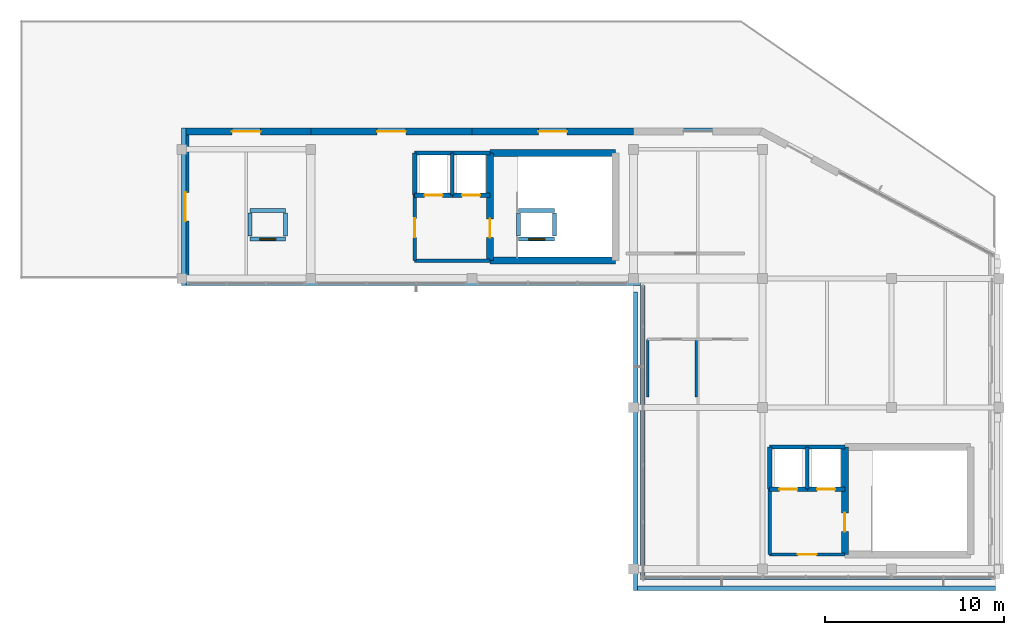
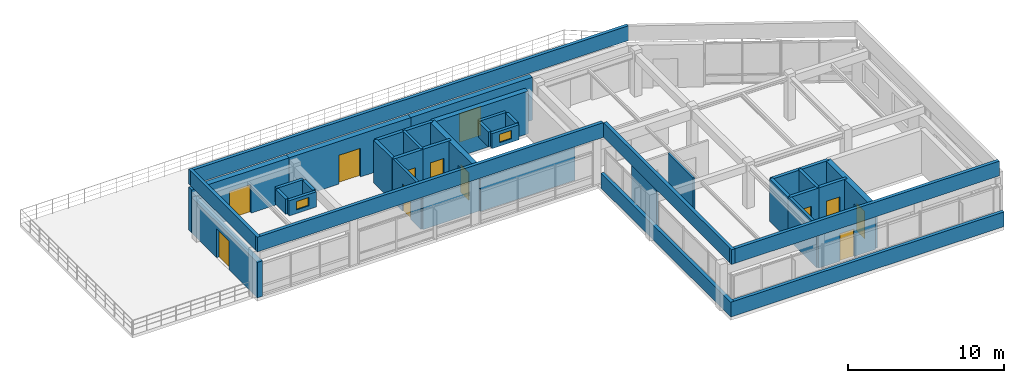
# One storey, part 7 of 10: 39 walls, 12 doors, 2 windows, 14 openings.
"""IFC4 building model written with IfcOpenShell, lengths in metres."""

from ifc_helpers import new_model, si_unit, direction, frame, frame_2d, origin, place, context, subcontext, project, spatial, rectangle, extrude, material, layer, layer_set, type_object, element, fill, save


model = new_model("IFC4")

# Units and contexts
model_context = context("Model", 3, precision=1e-05, world=origin(), true_north=direction((0.0, 1.0)))
body_context = subcontext(model_context, "Body", "Model", "MODEL_VIEW")
ifc_project = project(units=[si_unit("LENGTHUNIT", "METRE"), si_unit("AREAUNIT", "SQUARE_METRE"), si_unit("VOLUMEUNIT", "CUBIC_METRE"), si_unit("PLANEANGLEUNIT", "RADIAN"), si_unit("MASSUNIT", "GRAM", prefix="KILO")], contexts=[model_context])

# Site, building, storey
site_placement = place(None, origin())
site = spatial("IfcSite", under=ifc_project, at=site_placement, CompositionType="ELEMENT")
building_placement = place(site_placement, origin())
building = spatial("IfcBuilding", under=site, at=building_placement, Name="Clarverna Civic Hall", CompositionType="ELEMENT")
storey_placement = place(building_placement, frame((0.0, 0.0, 27.60009765625)))
storey = spatial("IfcBuildingStorey", under=building, at=storey_placement, Name="L07", CompositionType="ELEMENT", Elevation=27.60009765625)

# Wall, opening, door
ifc_material_1 = material(Name="Montjuic Limestone Ashlar Cladding", Category="masonry")
ifc_layer_1 = layer(ifc_material_1, 0.39990234375)
ifc_layer_set_1 = layer_set([ifc_layer_1], Name="Montjuic Limestone Ashlar Cladding")
wall_type_1 = type_object("IfcWallType", Name="EW-02", PredefinedType="SOLIDWALL", material=ifc_layer_set_1)
wall_1_placement = place(storey_placement, frame((122.60009765625, 94.60009765625, 0.0), z_axis=(0.0, 0.0, 1.0), x_axis=(0.0, 1.0, 0.0)))
wall_1 = element("IfcWall", 1, at=wall_1_placement, inside=storey, type_object=wall_type_1, Name="EW-02-282", PredefinedType="SOLIDWALL", context=body_context, shape_type="SweptSolid", body=[
    extrude(rectangle(XDim=8.7998046875, YDim=0.39990234375, at=frame_2d((4.39990234375, 0.0))), origin(), (0.0, 0.0, 1.0), 2.77978515625),
])
opening_1_placement = place(wall_1_placement, frame((3.60009765625, 0.0, 0.0)))
opening_1 = element("IfcOpeningElement", 2, at=opening_1_placement, cuts=wall_1, Name="Opening ED-04", PredefinedType="OPENING", context=body_context, shape_type="SweptSolid", body=[
    extrude(rectangle(XDim=1.60009765625, YDim=2.25, at=frame_2d((0.800048828125, 1.125))), frame((0.0, 0.2099609375, 0.0), z_axis=(0.0, -1.0, 0.0), x_axis=(1.0, 0.0, 0.0)), (0.0, 0.0, 1.0), 0.419921875),
])
ifc_material_2 = material(Name="Anodised Bronze Glazed Door")
door_type_1 = type_object("IfcDoorType", Name="ED-04", OperationType="DOUBLE_DOOR_SINGLE_SWING", PredefinedType="DOOR", material=ifc_material_2)
door_1_placement = place(opening_1_placement, origin())
door_1 = element("IfcDoor", 3, at=door_1_placement, inside=storey, type_object=door_type_1, Name="ED-04-046", OperationType="DOUBLE_DOOR_SINGLE_SWING", OverallHeight=2.25, OverallWidth=1.60009765625, PredefinedType="DOOR", context=body_context, shape_type="SweptSolid", body=[
    extrude(rectangle(XDim=1.60009765625, YDim=2.25, at=frame_2d((0.800048828125, 1.125))), frame((0.0, 0.02490234375, 0.0), z_axis=(0.0, -1.0, 0.0), x_axis=(1.0, 0.0, 0.0)), (0.0, 0.0, 1.0), 0.050048828125),
])
fill(opening_1, door_1)

wall_2_placement = place(storey_placement, frame((122.39990234375, 103.199951171875, 0.0), z_axis=(0.0, 0.0, 1.0), x_axis=(1.0, 0.0, 0.0)))
wall_2 = element("IfcWall", 4, at=wall_2_placement, inside=storey, type_object=wall_type_1, Name="EW-02-283", PredefinedType="SOLIDWALL", context=body_context, shape_type="SweptSolid", body=[
    extrude(rectangle(XDim=7.2001953125, YDim=0.39990234375, at=frame_2d((3.60009765625, 0.0))), origin(), (0.0, 0.0, 1.0), 3.33984375),
])
opening_2_placement = place(wall_2_placement, frame((2.800048828125, 0.0, 0.0)))
opening_2 = element("IfcOpeningElement", 5, at=opening_2_placement, cuts=wall_2, Name="Opening ED-04", PredefinedType="OPENING", context=body_context, shape_type="SweptSolid", body=[
    extrude(rectangle(XDim=1.60009765625, YDim=2.25, at=frame_2d((0.800048828125, 1.125))), frame((0.0, 0.2099609375, 0.0), z_axis=(0.0, -1.0, 0.0), x_axis=(1.0, 0.0, 0.0)), (0.0, 0.0, 1.0), 0.419921875),
])
door_2_placement = place(opening_2_placement, origin())
door_2 = element("IfcDoor", 6, at=door_2_placement, inside=storey, type_object=door_type_1, Name="ED-04-047", OperationType="DOUBLE_DOOR_SINGLE_SWING", OverallHeight=2.25, OverallWidth=1.60009765625, PredefinedType="DOOR", context=body_context, shape_type="SweptSolid", body=[
    extrude(rectangle(XDim=1.60009765625, YDim=2.25, at=frame_2d((0.800048828125, 1.125))), frame((0.0, 0.02490234375, 0.0), z_axis=(0.0, -1.0, 0.0), x_axis=(1.0, 0.0, 0.0)), (0.0, 0.0, 1.0), 0.050048828125),
])
fill(opening_2, door_2)

wall_3_placement = place(storey_placement, frame((129.60009765625, 103.199951171875, 0.0), z_axis=(0.0, 0.0, 1.0), x_axis=(1.0, 0.0, 0.0)))
wall_3 = element("IfcWall", 7, at=wall_3_placement, inside=storey, type_object=wall_type_1, Name="EW-02-284", PredefinedType="SOLIDWALL", context=body_context, shape_type="SweptSolid", body=[
    extrude(rectangle(XDim=9.0, YDim=0.39990234375, at=frame_2d((4.5, 0.0))), origin(), (0.0, 0.0, 1.0), 3.33984375),
])
opening_3_placement = place(wall_3_placement, frame((3.699951171875, 0.0, 0.0)))
opening_3 = element("IfcOpeningElement", 8, at=opening_3_placement, cuts=wall_3, Name="Opening ED-04", PredefinedType="OPENING", context=body_context, shape_type="SweptSolid", body=[
    extrude(rectangle(XDim=1.60009765625, YDim=2.25, at=frame_2d((0.800048828125, 1.125))), frame((0.0, 0.2099609375, 0.0), z_axis=(0.0, -1.0, 0.0), x_axis=(1.0, 0.0, 0.0)), (0.0, 0.0, 1.0), 0.419921875),
])
door_3_placement = place(opening_3_placement, origin())
door_3 = element("IfcDoor", 9, at=door_3_placement, inside=storey, type_object=door_type_1, Name="ED-04-048", OperationType="DOUBLE_DOOR_SINGLE_SWING", OverallHeight=2.25, OverallWidth=1.60009765625, PredefinedType="DOOR", context=body_context, shape_type="SweptSolid", body=[
    extrude(rectangle(XDim=1.60009765625, YDim=2.25, at=frame_2d((0.800048828125, 1.125))), frame((0.0, 0.02490234375, 0.0), z_axis=(0.0, -1.0, 0.0), x_axis=(1.0, 0.0, 0.0)), (0.0, 0.0, 1.0), 0.050048828125),
])
fill(opening_3, door_3)

wall_4_placement = place(storey_placement, frame((138.60009765625, 103.199951171875, 0.0), z_axis=(0.0, 0.0, 1.0), x_axis=(1.0, 0.0, 0.0)))
wall_4 = element("IfcWall", 10, at=wall_4_placement, inside=storey, type_object=wall_type_1, Name="EW-02-285", PredefinedType="SOLIDWALL", context=body_context, shape_type="SweptSolid", body=[
    extrude(rectangle(XDim=9.0, YDim=0.39990234375, at=frame_2d((4.5, 0.0))), origin(), (0.0, 0.0, 1.0), 3.33984375),
])
opening_4_placement = place(wall_4_placement, frame((3.699951171875, 0.0, 0.0)))
opening_4 = element("IfcOpeningElement", 11, at=opening_4_placement, cuts=wall_4, Name="Opening ED-04", PredefinedType="OPENING", context=body_context, shape_type="SweptSolid", body=[
    extrude(rectangle(XDim=1.60009765625, YDim=2.25, at=frame_2d((0.800048828125, 1.125))), frame((0.0, 0.2099609375, 0.0), z_axis=(0.0, -1.0, 0.0), x_axis=(1.0, 0.0, 0.0)), (0.0, 0.0, 1.0), 0.419921875),
])
door_4_placement = place(opening_4_placement, origin())
door_4 = element("IfcDoor", 12, at=door_4_placement, inside=storey, type_object=door_type_1, Name="ED-04-049", OperationType="DOUBLE_DOOR_SINGLE_SWING", OverallHeight=2.25, OverallWidth=1.60009765625, PredefinedType="DOOR", context=body_context, shape_type="SweptSolid", body=[
    extrude(rectangle(XDim=1.60009765625, YDim=2.25, at=frame_2d((0.800048828125, 1.125))), frame((0.0, 0.02490234375, 0.0), z_axis=(0.0, -1.0, 0.0), x_axis=(1.0, 0.0, 0.0)), (0.0, 0.0, 1.0), 0.050048828125),
])
fill(opening_4, door_4)

# Wall, opening, window
ifc_material_3 = material(Name="Precast concrete C40/50", Category="concrete")
ifc_layer_2 = layer(ifc_material_3, 0.320068359375)
ifc_layer_set_2 = layer_set([ifc_layer_2], Name="Precast concrete C40/50")
wall_type_2 = type_object("IfcWallType", Name="EW-04", PredefinedType="SOLIDWALL", material=ifc_layer_set_2)
wall_5_placement = place(storey_placement, frame((126.199951171875, 97.199951171875, 3.579833984375), z_axis=(0.0, 0.0, 1.0), x_axis=(1.0, 0.0, 0.0)))
wall_5 = element("IfcWall", 13, at=wall_5_placement, inside=storey, type_object=wall_type_2, Name="EW-04-051", PredefinedType="SOLIDWALL", context=body_context, shape_type="SweptSolid", body=[
    extrude(rectangle(XDim=2.0, YDim=0.219970703125, at=frame_2d((1.0, 0.0))), origin(), (0.0, 0.0, 1.0), 1.18017578125),
])
opening_5_placement = place(wall_5_placement, frame((0.550048828125, 0.0, 0.280029296875)))
opening_5 = element("IfcOpeningElement", 14, at=opening_5_placement, cuts=wall_5, Name="Opening SK-04", PredefinedType="OPENING", context=body_context, shape_type="SweptSolid", body=[
    extrude(rectangle(XDim=0.89990234375, YDim=0.64990234375, at=frame_2d((0.449951171875, 0.324951171875))), frame((0.0, 0.119873046875, 0.0), z_axis=(0.0, -1.0, 0.0), x_axis=(1.0, 0.0, 0.0)), (0.0, 0.0, 1.0), 0.239990234375),
])
ifc_material_4 = material(Name="Solar-Control Argon Low-E Double Glazing", Category="glass")
window_type = type_object("IfcWindowType", Name="SK-04", PartitioningType="SINGLE_PANEL", PredefinedType="SKYLIGHT", material=ifc_material_4)
window_1_placement = place(opening_5_placement, origin())
window_1 = element("IfcWindow", 15, at=window_1_placement, inside=storey, type_object=window_type, Name="SK-04-001", OverallHeight=0.64990234375, OverallWidth=0.89990234375, PartitioningType="SINGLE_PANEL", PredefinedType="SKYLIGHT", context=body_context, shape_type="SweptSolid", body=[
    extrude(rectangle(XDim=0.89990234375, YDim=0.64990234375, at=frame_2d((0.449951171875, 0.324951171875))), frame((0.0, 0.030029296875, 0.0), z_axis=(0.0, -1.0, 0.0), x_axis=(1.0, 0.0, 0.0)), (0.0, 0.0, 1.0), 0.06005859375),
])
fill(opening_5, window_1)

# Walls
wall_6_placement = place(storey_placement, frame((126.199951171875, 98.800048828125, 3.579833984375), z_axis=(0.0, 0.0, 1.0), x_axis=(1.0, 0.0, 0.0)))
element("IfcWall", 16, at=wall_6_placement, inside=storey, type_object=wall_type_2, Name="EW-04-052", PredefinedType="SOLIDWALL", context=body_context, shape_type="SweptSolid", body=[
    extrude(rectangle(XDim=2.0, YDim=0.219970703125, at=frame_2d((1.0, 0.0))), origin(), (0.0, 0.0, 1.0), 1.18017578125),
])
for number, where, z_axis, x_axis, name in (
    (17, (126.199951171875, 97.360107421875, 3.579833984375), (0.0, 0.0, 1.0), (0.0, 1.0, 0.0), "EW-04-053"),
    (18, (128.199951171875, 97.360107421875, 3.579833984375), (0.0, 0.0, 1.0), (0.0, 1.0, 0.0), "EW-04-054"),
):
    element("IfcWall", number, at=place(storey_placement, frame(where, z_axis=z_axis, x_axis=x_axis)), inside=storey, type_object=wall_type_2, Name=name, PredefinedType="SOLIDWALL", context=body_context, shape_type="SweptSolid", body=[
        extrude(rectangle(XDim=1.27978515625, YDim=0.219970703125, at=frame_2d((0.639892578125, 0.0))), origin(), (0.0, 0.0, 1.0), 1.18017578125),
    ])

# Wall, opening, window
wall_7_placement = place(storey_placement, frame((141.199951171875, 97.199951171875, 3.579833984375), z_axis=(0.0, 0.0, 1.0), x_axis=(1.0, 0.0, 0.0)))
wall_7 = element("IfcWall", 19, at=wall_7_placement, inside=storey, type_object=wall_type_2, Name="EW-04-055", PredefinedType="SOLIDWALL", context=body_context, shape_type="SweptSolid", body=[
    extrude(rectangle(XDim=2.0, YDim=0.219970703125, at=frame_2d((1.0, 0.0))), origin(), (0.0, 0.0, 1.0), 1.18017578125),
])
opening_6_placement = place(wall_7_placement, frame((0.550048828125, 0.0, 0.280029296875)))
opening_6 = element("IfcOpeningElement", 20, at=opening_6_placement, cuts=wall_7, Name="Opening SK-04", PredefinedType="OPENING", context=body_context, shape_type="SweptSolid", body=[
    extrude(rectangle(XDim=0.89990234375, YDim=0.64990234375, at=frame_2d((0.449951171875, 0.324951171875))), frame((0.0, 0.119873046875, 0.0), z_axis=(0.0, -1.0, 0.0), x_axis=(1.0, 0.0, 0.0)), (0.0, 0.0, 1.0), 0.239990234375),
])
window_2_placement = place(opening_6_placement, origin())
window_2 = element("IfcWindow", 21, at=window_2_placement, inside=storey, type_object=window_type, Name="SK-04-002", OverallHeight=0.64990234375, OverallWidth=0.89990234375, PartitioningType="SINGLE_PANEL", PredefinedType="SKYLIGHT", context=body_context, shape_type="SweptSolid", body=[
    extrude(rectangle(XDim=0.89990234375, YDim=0.64990234375, at=frame_2d((0.449951171875, 0.324951171875))), frame((0.0, 0.030029296875, 0.0), z_axis=(0.0, -1.0, 0.0), x_axis=(1.0, 0.0, 0.0)), (0.0, 0.0, 1.0), 0.06005859375),
])
fill(opening_6, window_2)

# Walls
wall_8_placement = place(storey_placement, frame((141.199951171875, 98.800048828125, 3.579833984375), z_axis=(0.0, 0.0, 1.0), x_axis=(1.0, 0.0, 0.0)))
element("IfcWall", 22, at=wall_8_placement, inside=storey, type_object=wall_type_2, Name="EW-04-056", PredefinedType="SOLIDWALL", context=body_context, shape_type="SweptSolid", body=[
    extrude(rectangle(XDim=2.0, YDim=0.219970703125, at=frame_2d((1.0, 0.0))), origin(), (0.0, 0.0, 1.0), 1.18017578125),
])
for number, where, z_axis, x_axis, name in (
    (23, (141.199951171875, 97.360107421875, 3.579833984375), (0.0, 0.0, 1.0), (0.0, 1.0, 0.0), "EW-04-057"),
    (24, (143.199951171875, 97.360107421875, 3.579833984375), (0.0, 0.0, 1.0), (0.0, 1.0, 0.0), "EW-04-058"),
):
    element("IfcWall", number, at=place(storey_placement, frame(where, z_axis=z_axis, x_axis=x_axis)), inside=storey, type_object=wall_type_2, Name=name, PredefinedType="SOLIDWALL", context=body_context, shape_type="SweptSolid", body=[
        extrude(rectangle(XDim=1.27978515625, YDim=0.219970703125, at=frame_2d((0.639892578125, 0.0))), origin(), (0.0, 0.0, 1.0), 1.18017578125),
    ])
ifc_layer_3 = layer(ifc_material_3, 0.239990234375)
ifc_layer_set_3 = layer_set([ifc_layer_3], Name="Precast concrete C40/50")
wall_type_3 = type_object("IfcWallType", Name="PR-01", PredefinedType="PARAPET", material=ifc_layer_set_3)
wall_9_placement = place(storey_placement, frame((147.719970703125, 77.60009765625, 0.0), z_axis=(0.0, 0.0, 1.0), x_axis=(0.0, 1.0, 0.0)))
element("IfcWall", 25, at=wall_9_placement, inside=storey, type_object=wall_type_3, Name="PR-01-094", PredefinedType="PARAPET", context=body_context, shape_type="SweptSolid", body=[
    extrude(rectangle(XDim=16.64990234375, YDim=0.239990234375, at=frame_2d((8.324951171875, 0.0))), origin(), (0.0, 0.0, 1.0), 1.14990234375),
])
wall_10_placement = place(storey_placement, frame((167.800048828125, 77.719970703125, 0.0), z_axis=(0.0, 0.0, 1.0), x_axis=(-1.0, 0.0, 0.0)))
element("IfcWall", 26, at=wall_10_placement, inside=storey, type_object=wall_type_3, Name="PR-01-095", PredefinedType="PARAPET", context=body_context, shape_type="SweptSolid", body=[
    extrude(rectangle(XDim=20.199951171875, YDim=0.239990234375, at=frame_2d((10.10009765625, 0.0))), origin(), (0.0, 0.0, 1.0), 1.14990234375),
])
wall_11_placement = place(storey_placement, frame((122.39990234375, 94.719970703125, 3.599853515625), z_axis=(0.0, 0.0, 1.0), x_axis=(1.0, 0.0, 0.0)))
element("IfcWall", 27, at=wall_11_placement, inside=storey, type_object=wall_type_3, Name="PR-01-096", PredefinedType="PARAPET", context=body_context, shape_type="SweptSolid", body=[
    extrude(rectangle(XDim=25.60009765625, YDim=0.239990234375, at=frame_2d((12.800048828125, 0.0))), origin(), (0.0, 0.0, 1.0), 1.150146484375),
])
wall_12_placement = place(storey_placement, frame((148.1201171875, 94.60009765625, 3.599853515625), z_axis=(0.0, 0.0, 1.0), x_axis=(0.0, -1.0, 0.0)))
element("IfcWall", 28, at=wall_12_placement, inside=storey, type_object=wall_type_3, Name="PR-01-097", PredefinedType="PARAPET", context=body_context, shape_type="SweptSolid", body=[
    extrude(rectangle(XDim=16.400146484375, YDim=0.239990234375, at=frame_2d((8.2001953125, 0.0))), origin(), (0.0, 0.0, 1.0), 1.150146484375),
])
wall_13_placement = place(storey_placement, frame((148.0, 78.320068359375, 3.599853515625), z_axis=(0.0, 0.0, 1.0), x_axis=(1.0, 0.0, 0.0)))
element("IfcWall", 29, at=wall_13_placement, inside=storey, type_object=wall_type_3, Name="PR-01-098", PredefinedType="PARAPET", context=body_context, shape_type="SweptSolid", body=[
    extrude(rectangle(XDim=19.800048828125, YDim=0.239990234375, at=frame_2d((9.89990234375, 0.0))), origin(), (0.0, 0.0, 1.0), 1.150146484375),
])
wall_14_placement = place(storey_placement, frame((154.800048828125, 103.280029296875, 3.599853515625), z_axis=(0.0, 0.0, 1.0), x_axis=(-1.0, 0.0, 0.0)))
element("IfcWall", 30, at=wall_14_placement, inside=storey, type_object=wall_type_3, Name="PR-01-101", PredefinedType="PARAPET", context=body_context, shape_type="SweptSolid", body=[
    extrude(rectangle(XDim=32.400146484375, YDim=0.239990234375, at=frame_2d((16.2001953125, 0.0))), origin(), (0.0, 0.0, 1.0), 1.150146484375),
])
wall_15_placement = place(storey_placement, frame((122.52001953125, 103.39990234375, 3.599853515625), z_axis=(0.0, 0.0, 1.0), x_axis=(0.0, -1.0, 0.0)))
element("IfcWall", 31, at=wall_15_placement, inside=storey, type_object=wall_type_3, Name="PR-01-102", PredefinedType="PARAPET", context=body_context, shape_type="SweptSolid", body=[
    extrude(rectangle(XDim=8.7998046875, YDim=0.239990234375, at=frame_2d((4.39990234375, 0.0))), origin(), (0.0, 0.0, 1.0), 1.150146484375),
])
ifc_material_5 = material(Name="Ceramic Brick and Plaster Wet-Room Partition", Category="masonry")
ifc_layer_4 = layer(ifc_material_5, 0.139892578125)
ifc_layer_set_4 = layer_set([ifc_layer_4], Name="Ceramic Brick and Plaster Wet-Room Partition")
wall_type_4 = type_object("IfcWallType", Name="PW-02", PredefinedType="PARTITIONING", material=ifc_layer_set_4)
for number, where, z_axis, x_axis, name in (
    (32, (148.39990234375, 88.39990234375, 0.0), (0.0, 0.0, 1.0), (0.0, 1.0, 0.0), "PW-02-201"),
    (33, (151.10009765625, 88.39990234375, 0.0), (0.0, 0.0, 1.0), (0.0, 1.0, 0.0), "PW-02-202"),
):
    element("IfcWall", number, at=place(storey_placement, frame(where, z_axis=z_axis, x_axis=x_axis)), inside=storey, type_object=wall_type_4, Name=name, PredefinedType="PARTITIONING", context=body_context, shape_type="SweptSolid", body=[
        extrude(rectangle(XDim=3.2001953125, YDim=0.139892578125, at=frame_2d((1.60009765625, 0.0))), origin(), (0.0, 0.0, 1.0), 3.119873046875),
    ])

# Wall, opening, door
ifc_material_6 = material(Name="Acoustic Gypsum Plasterboard on Twin Frame", Category="gypsum")
ifc_layer_5 = layer(ifc_material_6, 0.18994140625)
ifc_layer_set_5 = layer_set([ifc_layer_5], Name="Acoustic Gypsum Plasterboard on Twin Frame")
wall_type_5 = type_object("IfcWallType", Name="PW-06", PredefinedType="PARTITIONING", material=ifc_layer_set_5)
wall_16_placement = place(storey_placement, frame((135.39990234375, 96.0, 0.0), z_axis=(0.0, 0.0, 1.0), x_axis=(0.0, 1.0, 0.0)))
wall_16 = element("IfcWall", 34, at=wall_16_placement, inside=storey, type_object=wall_type_5, Name="PW-06-017", PredefinedType="PARTITIONING", context=body_context, shape_type="SweptSolid", body=[
    extrude(rectangle(XDim=3.64990234375, YDim=0.18994140625, at=frame_2d((1.824951171875, 0.0))), origin(), (0.0, 0.0, 1.0), 3.33984375),
])
opening_7_placement = place(wall_16_placement, frame((1.300048828125, 0.0, 0.0)))
opening_7 = element("IfcOpeningElement", 35, at=opening_7_placement, cuts=wall_16, Name="Opening FD-02", PredefinedType="OPENING", context=body_context, shape_type="SweptSolid", body=[
    extrude(rectangle(XDim=1.050048828125, YDim=2.14990234375, at=frame_2d((0.52490234375, 1.074951171875))), frame((0.0, 0.10498046875, 0.0), z_axis=(0.0, -1.0, 0.0), x_axis=(1.0, 0.0, 0.0)), (0.0, 0.0, 1.0), 0.2099609375),
])
ifc_material_7 = material(Name="Acoustic Timber-Faced Fire Door", Category="wood")
door_type_2 = type_object("IfcDoorType", Name="FD-02", OperationType="NOTDEFINED", PredefinedType="DOOR", material=ifc_material_7)
door_5_placement = place(opening_7_placement, origin())
door_5 = element("IfcDoor", 36, at=door_5_placement, inside=storey, type_object=door_type_2, Name="FD-02-017", OperationType="SINGLE_SWING_RIGHT", OverallHeight=2.14990234375, OverallWidth=1.050048828125, PredefinedType="DOOR", context=body_context, shape_type="SweptSolid", body=[
    extrude(rectangle(XDim=1.050048828125, YDim=2.14990234375, at=frame_2d((0.52490234375, 1.074951171875))), frame((0.0, 0.02490234375, 0.0), z_axis=(0.0, -1.0, 0.0), x_axis=(1.0, 0.0, 0.0)), (0.0, 0.0, 1.0), 0.050048828125),
])
fill(opening_7, door_5)

# Walls
wall_17_placement = place(storey_placement, frame((135.39990234375, 96.0, 0.0), z_axis=(0.0, 0.0, 1.0), x_axis=(1.0, 0.0, 0.0)))
element("IfcWall", 37, at=wall_17_placement, inside=storey, type_object=wall_type_5, Name="PW-06-018", PredefinedType="PARTITIONING", context=body_context, shape_type="SweptSolid", body=[
    extrude(rectangle(XDim=4.2001953125, YDim=0.18994140625, at=frame_2d((2.10009765625, 0.0))), origin(), (0.0, 0.0, 1.0), 3.33984375),
])
wall_18_placement = place(storey_placement, frame((155.199951171875, 79.60009765625, 0.0), z_axis=(0.0, 0.0, 1.0), x_axis=(0.0, 1.0, 0.0)))
element("IfcWall", 38, at=wall_18_placement, inside=storey, type_object=wall_type_5, Name="PW-06-035", PredefinedType="PARTITIONING", context=body_context, shape_type="SweptSolid", body=[
    extrude(rectangle(XDim=3.64990234375, YDim=0.18994140625, at=frame_2d((1.824951171875, 0.0))), origin(), (0.0, 0.0, 1.0), 3.33984375),
])

# Wall, opening, door
wall_19_placement = place(storey_placement, frame((155.199951171875, 79.60009765625, 0.0), z_axis=(0.0, 0.0, 1.0), x_axis=(1.0, 0.0, 0.0)))
wall_19 = element("IfcWall", 39, at=wall_19_placement, inside=storey, type_object=wall_type_5, Name="PW-06-036", PredefinedType="PARTITIONING", context=body_context, shape_type="SweptSolid", body=[
    extrude(rectangle(XDim=4.199951171875, YDim=0.18994140625, at=frame_2d((2.10009765625, 0.0))), origin(), (0.0, 0.0, 1.0), 3.33984375),
])
opening_8_placement = place(wall_19_placement, frame((1.574951171875, 0.0, 0.0)))
opening_8 = element("IfcOpeningElement", 40, at=opening_8_placement, cuts=wall_19, Name="Opening FD-02", PredefinedType="OPENING", context=body_context, shape_type="SweptSolid", body=[
    extrude(rectangle(XDim=1.050048828125, YDim=2.14990234375, at=frame_2d((0.52490234375, 1.074951171875))), frame((0.0, 0.10498046875, 0.0), z_axis=(0.0, -1.0, 0.0), x_axis=(1.0, 0.0, 0.0)), (0.0, 0.0, 1.0), 0.2099609375),
])
door_6_placement = place(opening_8_placement, origin())
door_6 = element("IfcDoor", 41, at=door_6_placement, inside=storey, type_object=door_type_2, Name="FD-02-034", OperationType="SINGLE_SWING_RIGHT", OverallHeight=2.14990234375, OverallWidth=1.050048828125, PredefinedType="DOOR", context=body_context, shape_type="SweptSolid", body=[
    extrude(rectangle(XDim=1.050048828125, YDim=2.14990234375, at=frame_2d((0.52490234375, 1.074951171875))), frame((0.0, 0.02490234375, 0.0), z_axis=(0.0, -1.0, 0.0), x_axis=(1.0, 0.0, 0.0)), (0.0, 0.0, 1.0), 0.050048828125),
])
fill(opening_8, door_6)

ifc_material_8 = material(Name="Concrete C35/45", Category="concrete")
ifc_layer_6 = layer(ifc_material_8, 0.3798828125)
ifc_layer_set_6 = layer_set([ifc_layer_6], Name="Concrete C35/45")
wall_type_6 = type_object("IfcWallType", Name="SW-01", PredefinedType="SHEAR", material=ifc_layer_set_6)
wall_20_placement = place(storey_placement, frame((139.60009765625, 96.0, 0.0), z_axis=(0.0, 0.0, 1.0), x_axis=(0.0, 1.0, 0.0)))
wall_20 = element("IfcWall", 42, at=wall_20_placement, inside=storey, type_object=wall_type_6, Name="SW-01-073", PredefinedType="SHEAR", context=body_context, shape_type="SweptSolid", body=[
    extrude(rectangle(XDim=6.0, YDim=0.3798828125, at=frame_2d((3.0, 0.0))), origin(), (0.0, 0.0, 1.0), 3.33984375),
])
opening_9_placement = place(wall_20_placement, frame((1.27490234375, 0.0, 0.0)))
opening_9 = element("IfcOpeningElement", 43, at=opening_9_placement, cuts=wall_20, Name="Opening FD-02", PredefinedType="OPENING", context=body_context, shape_type="SweptSolid", body=[
    extrude(rectangle(XDim=1.050048828125, YDim=2.14990234375, at=frame_2d((0.52490234375, 1.074951171875))), frame((0.0, 0.199951171875, 0.0), z_axis=(0.0, -1.0, 0.0), x_axis=(1.0, 0.0, 0.0)), (0.0, 0.0, 1.0), 0.39990234375),
])
door_7_placement = place(opening_9_placement, origin())
door_7 = element("IfcDoor", 44, at=door_7_placement, inside=storey, type_object=door_type_2, Name="FD-02-016", OperationType="SINGLE_SWING_LEFT", OverallHeight=2.14990234375, OverallWidth=1.050048828125, PredefinedType="DOOR", context=body_context, shape_type="SweptSolid", body=[
    extrude(rectangle(XDim=1.050048828125, YDim=2.14990234375, at=frame_2d((0.52490234375, 1.074951171875))), frame((0.0, 0.02490234375, 0.0), z_axis=(0.0, -1.0, 0.0), x_axis=(1.0, 0.0, 0.0)), (0.0, 0.0, 1.0), 0.050048828125),
])
fill(opening_9, door_7)

# Walls
for number, where, z_axis, x_axis, name in (
    (45, (139.60009765625, 96.0, 0.0), (0.0, 0.0, 1.0), (1.0, 0.0, 0.0), "SW-01-075"),
    (46, (139.60009765625, 102.0, 0.0), (0.0, 0.0, 1.0), (1.0, 0.0, 0.0), "SW-01-076"),
):
    element("IfcWall", number, at=place(storey_placement, frame(where, z_axis=z_axis, x_axis=x_axis)), inside=storey, type_object=wall_type_6, Name=name, PredefinedType="SHEAR", context=body_context, shape_type="SweptSolid", body=[
        extrude(rectangle(XDim=7.0, YDim=0.3798828125, at=frame_2d((3.5, 0.0))), origin(), (0.0, 0.0, 1.0), 3.33984375),
    ])
wall_21_placement = place(storey_placement, frame((135.39990234375, 102.0, 0.0), z_axis=(0.0, 0.0, 1.0), x_axis=(1.0, 0.0, 0.0)))
element("IfcWall", 47, at=wall_21_placement, inside=storey, type_object=wall_type_6, Name="SW-01-077", PredefinedType="SHEAR", context=body_context, shape_type="SweptSolid", body=[
    extrude(rectangle(XDim=4.2001953125, YDim=0.239990234375, at=frame_2d((2.10009765625, 0.0))), origin(), (0.0, 0.0, 1.0), 3.33984375),
])
wall_22_placement = place(storey_placement, frame((135.39990234375, 99.64990234375, 0.0), z_axis=(0.0, 0.0, 1.0), x_axis=(0.0, 1.0, 0.0)))
element("IfcWall", 48, at=wall_22_placement, inside=storey, type_object=wall_type_6, Name="SW-01-078", PredefinedType="SHEAR", context=body_context, shape_type="SweptSolid", body=[
    extrude(rectangle(XDim=2.35009765625, YDim=0.239990234375, at=frame_2d((1.175048828125, 0.0))), origin(), (0.0, 0.0, 1.0), 3.33984375),
])
wall_23_placement = place(storey_placement, frame((137.5, 99.64990234375, 0.0), z_axis=(0.0, 0.0, 1.0), x_axis=(0.0, 1.0, 0.0)))
element("IfcWall", 49, at=wall_23_placement, inside=storey, type_object=wall_type_6, Name="SW-01-079", PredefinedType="SHEAR", context=body_context, shape_type="SweptSolid", body=[
    extrude(rectangle(XDim=2.35009765625, YDim=0.199951171875, at=frame_2d((1.175048828125, 0.0))), origin(), (0.0, 0.0, 1.0), 3.33984375),
])

# Wall, opening, door
wall_24_placement = place(storey_placement, frame((135.39990234375, 99.64990234375, 0.0), z_axis=(0.0, 0.0, 1.0), x_axis=(1.0, 0.0, 0.0)))
wall_24 = element("IfcWall", 50, at=wall_24_placement, inside=storey, type_object=wall_type_6, Name="SW-01-080", PredefinedType="SHEAR", context=body_context, shape_type="SweptSolid", body=[
    extrude(rectangle(XDim=2.10009765625, YDim=0.239990234375, at=frame_2d((1.050048828125, 0.0))), origin(), (0.0, 0.0, 1.0), 3.33984375),
])
opening_10_placement = place(wall_24_placement, frame((0.550048828125, 0.0, 0.0)))
opening_10 = element("IfcOpeningElement", 51, at=opening_10_placement, cuts=wall_24, Name="Opening LD-01", PredefinedType="OPENING", context=body_context, shape_type="SweptSolid", body=[
    extrude(rectangle(XDim=1.0, YDim=2.10009765625, at=frame_2d((0.5, 1.050048828125))), frame((0.0, 0.1298828125, 0.0), z_axis=(0.0, -1.0, 0.0), x_axis=(1.0, 0.0, 0.0)), (0.0, 0.0, 1.0), 0.260009765625),
])
ifc_material_9 = material(Name="Brushed Bronze Stainless Lift Landing Door")
door_type_3 = type_object("IfcDoorType", Name="LD-01", OperationType="SLIDING_TO_LEFT", PredefinedType="DOOR", material=ifc_material_9)
door_8_placement = place(opening_10_placement, origin())
door_8 = element("IfcDoor", 52, at=door_8_placement, inside=storey, type_object=door_type_3, Name="LD-01-017", OperationType="SLIDING_TO_LEFT", OverallHeight=2.10009765625, OverallWidth=1.0, PredefinedType="DOOR", context=body_context, shape_type="SweptSolid", body=[
    extrude(rectangle(XDim=1.0, YDim=2.10009765625, at=frame_2d((0.5, 1.050048828125))), frame((0.0, 0.02490234375, 0.0), z_axis=(0.0, -1.0, 0.0), x_axis=(1.0, 0.0, 0.0)), (0.0, 0.0, 1.0), 0.050048828125),
])
fill(opening_10, door_8)

wall_25_placement = place(storey_placement, frame((137.5, 99.64990234375, 0.0), z_axis=(0.0, 0.0, 1.0), x_axis=(1.0, 0.0, 0.0)))
wall_25 = element("IfcWall", 53, at=wall_25_placement, inside=storey, type_object=wall_type_6, Name="SW-01-081", PredefinedType="SHEAR", context=body_context, shape_type="SweptSolid", body=[
    extrude(rectangle(XDim=2.10009765625, YDim=0.239990234375, at=frame_2d((1.050048828125, 0.0))), origin(), (0.0, 0.0, 1.0), 3.33984375),
])
opening_11_placement = place(wall_25_placement, frame((0.550048828125, 0.0, 0.0)))
opening_11 = element("IfcOpeningElement", 54, at=opening_11_placement, cuts=wall_25, Name="Opening LD-01", PredefinedType="OPENING", context=body_context, shape_type="SweptSolid", body=[
    extrude(rectangle(XDim=1.0, YDim=2.10009765625, at=frame_2d((0.5, 1.050048828125))), frame((0.0, 0.1298828125, 0.0), z_axis=(0.0, -1.0, 0.0), x_axis=(1.0, 0.0, 0.0)), (0.0, 0.0, 1.0), 0.260009765625),
])
door_9_placement = place(opening_11_placement, origin())
door_9 = element("IfcDoor", 55, at=door_9_placement, inside=storey, type_object=door_type_3, Name="LD-01-018", OperationType="SLIDING_TO_LEFT", OverallHeight=2.10009765625, OverallWidth=1.0, PredefinedType="DOOR", context=body_context, shape_type="SweptSolid", body=[
    extrude(rectangle(XDim=1.0, YDim=2.10009765625, at=frame_2d((0.5, 1.050048828125))), frame((0.0, 0.02490234375, 0.0), z_axis=(0.0, -1.0, 0.0), x_axis=(1.0, 0.0, 0.0)), (0.0, 0.0, 1.0), 0.050048828125),
])
fill(opening_11, door_9)

wall_26_placement = place(storey_placement, frame((159.39990234375, 79.60009765625, 0.0), z_axis=(0.0, 0.0, 1.0), x_axis=(0.0, 1.0, 0.0)))
wall_26 = element("IfcWall", 56, at=wall_26_placement, inside=storey, type_object=wall_type_6, Name="SW-01-154", PredefinedType="SHEAR", context=body_context, shape_type="SweptSolid", body=[
    extrude(rectangle(XDim=6.0, YDim=0.3798828125, at=frame_2d((3.0, 0.0))), origin(), (0.0, 0.0, 1.0), 3.33984375),
])
opening_12_placement = place(wall_26_placement, frame((1.27490234375, 0.0, 0.0)))
opening_12 = element("IfcOpeningElement", 57, at=opening_12_placement, cuts=wall_26, Name="Opening FD-02", PredefinedType="OPENING", context=body_context, shape_type="SweptSolid", body=[
    extrude(rectangle(XDim=1.050048828125, YDim=2.14990234375, at=frame_2d((0.52490234375, 1.074951171875))), frame((0.0, 0.199951171875, 0.0), z_axis=(0.0, -1.0, 0.0), x_axis=(1.0, 0.0, 0.0)), (0.0, 0.0, 1.0), 0.39990234375),
])
door_10_placement = place(opening_12_placement, origin())
door_10 = element("IfcDoor", 58, at=door_10_placement, inside=storey, type_object=door_type_2, Name="FD-02-033", OperationType="SINGLE_SWING_LEFT", OverallHeight=2.14990234375, OverallWidth=1.050048828125, PredefinedType="DOOR", context=body_context, shape_type="SweptSolid", body=[
    extrude(rectangle(XDim=1.050048828125, YDim=2.14990234375, at=frame_2d((0.52490234375, 1.074951171875))), frame((0.0, 0.02490234375, 0.0), z_axis=(0.0, -1.0, 0.0), x_axis=(1.0, 0.0, 0.0)), (0.0, 0.0, 1.0), 0.050048828125),
])
fill(opening_12, door_10)

# Walls
wall_27_placement = place(storey_placement, frame((155.199951171875, 85.60009765625, 0.0), z_axis=(0.0, 0.0, 1.0), x_axis=(1.0, 0.0, 0.0)))
element("IfcWall", 59, at=wall_27_placement, inside=storey, type_object=wall_type_6, Name="SW-01-158", PredefinedType="SHEAR", context=body_context, shape_type="SweptSolid", body=[
    extrude(rectangle(XDim=4.199951171875, YDim=0.239990234375, at=frame_2d((2.10009765625, 0.0))), origin(), (0.0, 0.0, 1.0), 3.33984375),
])
wall_28_placement = place(storey_placement, frame((155.199951171875, 83.25, 0.0), z_axis=(0.0, 0.0, 1.0), x_axis=(0.0, 1.0, 0.0)))
element("IfcWall", 60, at=wall_28_placement, inside=storey, type_object=wall_type_6, Name="SW-01-159", PredefinedType="SHEAR", context=body_context, shape_type="SweptSolid", body=[
    extrude(rectangle(XDim=2.35009765625, YDim=0.239990234375, at=frame_2d((1.175048828125, 0.0))), origin(), (0.0, 0.0, 1.0), 3.33984375),
])
wall_29_placement = place(storey_placement, frame((157.300048828125, 83.25, 0.0), z_axis=(0.0, 0.0, 1.0), x_axis=(0.0, 1.0, 0.0)))
element("IfcWall", 61, at=wall_29_placement, inside=storey, type_object=wall_type_6, Name="SW-01-160", PredefinedType="SHEAR", context=body_context, shape_type="SweptSolid", body=[
    extrude(rectangle(XDim=2.35009765625, YDim=0.199951171875, at=frame_2d((1.175048828125, 0.0))), origin(), (0.0, 0.0, 1.0), 3.33984375),
])

# Wall, opening, door
wall_30_placement = place(storey_placement, frame((155.199951171875, 83.25, 0.0), z_axis=(0.0, 0.0, 1.0), x_axis=(1.0, 0.0, 0.0)))
wall_30 = element("IfcWall", 62, at=wall_30_placement, inside=storey, type_object=wall_type_6, Name="SW-01-161", PredefinedType="SHEAR", context=body_context, shape_type="SweptSolid", body=[
    extrude(rectangle(XDim=2.10009765625, YDim=0.239990234375, at=frame_2d((1.050048828125, 0.0))), origin(), (0.0, 0.0, 1.0), 3.33984375),
])
opening_13_placement = place(wall_30_placement, frame((0.550048828125, 0.0, 0.0)))
opening_13 = element("IfcOpeningElement", 63, at=opening_13_placement, cuts=wall_30, Name="Opening LD-01", PredefinedType="OPENING", context=body_context, shape_type="SweptSolid", body=[
    extrude(rectangle(XDim=1.0, YDim=2.10009765625, at=frame_2d((0.5, 1.050048828125))), frame((0.0, 0.1298828125, 0.0), z_axis=(0.0, -1.0, 0.0), x_axis=(1.0, 0.0, 0.0)), (0.0, 0.0, 1.0), 0.260009765625),
])
door_11_placement = place(opening_13_placement, origin())
door_11 = element("IfcDoor", 64, at=door_11_placement, inside=storey, type_object=door_type_3, Name="LD-01-035", OperationType="SLIDING_TO_LEFT", OverallHeight=2.10009765625, OverallWidth=1.0, PredefinedType="DOOR", context=body_context, shape_type="SweptSolid", body=[
    extrude(rectangle(XDim=1.0, YDim=2.10009765625, at=frame_2d((0.5, 1.050048828125))), frame((0.0, 0.02490234375, 0.0), z_axis=(0.0, -1.0, 0.0), x_axis=(1.0, 0.0, 0.0)), (0.0, 0.0, 1.0), 0.050048828125),
])
fill(opening_13, door_11)

wall_31_placement = place(storey_placement, frame((157.300048828125, 83.25, 0.0), z_axis=(0.0, 0.0, 1.0), x_axis=(1.0, 0.0, 0.0)))
wall_31 = element("IfcWall", 65, at=wall_31_placement, inside=storey, type_object=wall_type_6, Name="SW-01-162", PredefinedType="SHEAR", context=body_context, shape_type="SweptSolid", body=[
    extrude(rectangle(XDim=2.099853515625, YDim=0.239990234375, at=frame_2d((1.0498046875, 0.0))), origin(), (0.0, 0.0, 1.0), 3.33984375),
])
opening_14_placement = place(wall_31_placement, frame((0.550048828125, 0.0, 0.0)))
opening_14 = element("IfcOpeningElement", 66, at=opening_14_placement, cuts=wall_31, Name="Opening LD-01", PredefinedType="OPENING", context=body_context, shape_type="SweptSolid", body=[
    extrude(rectangle(XDim=1.0, YDim=2.10009765625, at=frame_2d((0.5, 1.050048828125))), frame((0.0, 0.1298828125, 0.0), z_axis=(0.0, -1.0, 0.0), x_axis=(1.0, 0.0, 0.0)), (0.0, 0.0, 1.0), 0.260009765625),
])
door_12_placement = place(opening_14_placement, origin())
door_12 = element("IfcDoor", 67, at=door_12_placement, inside=storey, type_object=door_type_3, Name="LD-01-036", OperationType="SLIDING_TO_LEFT", OverallHeight=2.10009765625, OverallWidth=1.0, PredefinedType="DOOR", context=body_context, shape_type="SweptSolid", body=[
    extrude(rectangle(XDim=1.0, YDim=2.10009765625, at=frame_2d((0.5, 1.050048828125))), frame((0.0, 0.02490234375, 0.0), z_axis=(0.0, -1.0, 0.0), x_axis=(1.0, 0.0, 0.0)), (0.0, 0.0, 1.0), 0.050048828125),
])
fill(opening_14, door_12)

save(model, "model.ifc")
